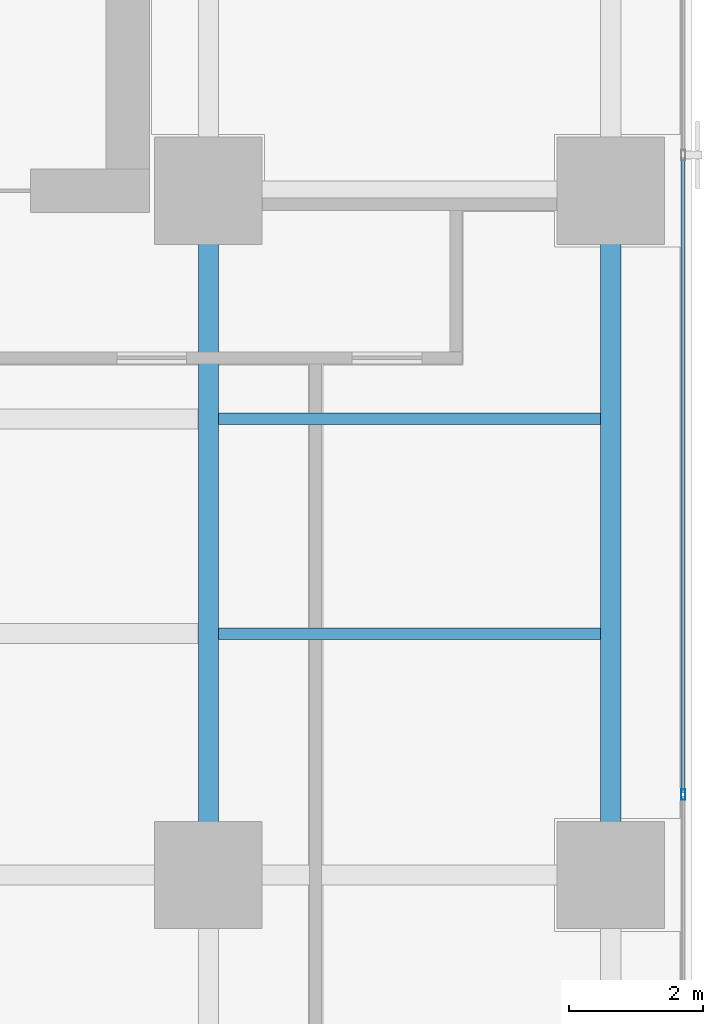
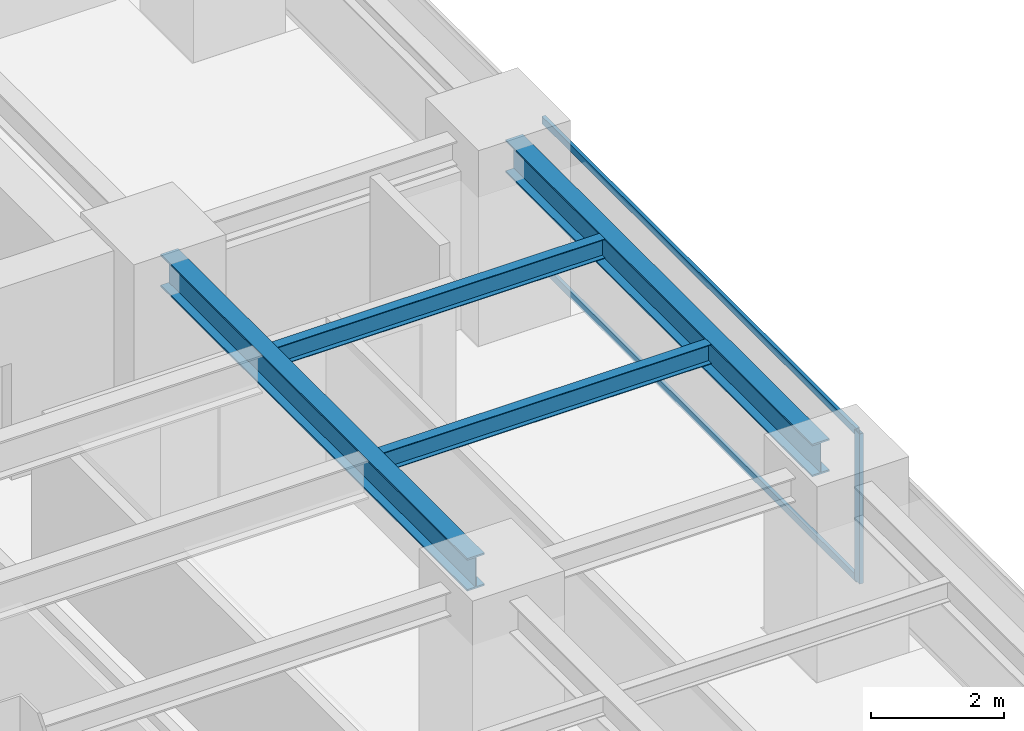
# One storey, part 13 of 28: 4 beams, 3 members, 1 element without a shape of its own.
"""IFC4 building model written with IfcOpenShell, lengths in metres."""

import ifcopenshell
import ifcopenshell.guid

model = None  # the IFC model being written
_history = None  # IfcOwnerHistory: only IFC2X3 demands one
_inside = {}  # id of a spatial element -> (the spatial element, [elements in it])
_under = {}  # id of a project, library or spatial element -> (it, [spatial elements below it])
_declared = {}  # id of a project -> (the project, [libraries it declares])
_typed = {}  # id of a type object -> (the type object, [elements of that type])
_made_of = {}  # id of a material, layer set ... -> (it, [elements and type objects made of it])


def new_model(schema):
    """Start an empty IFC model of exactly this schema.

    Asked for "IFC4X3", IfcOpenShell would pick the latest addendum, in which some entities
    have other attributes; the version numbers below select the first issue.
    IFC2X3 requires an IfcOwnerHistory on every rooted entity: one is made here for all.
    """
    global model, _history
    if schema == "IFC4X3":
        model = ifcopenshell.file(schema_version=(4, 3, 0, 0))
    else:
        model = ifcopenshell.file(schema=schema)
    _inside.clear()
    _under.clear()
    _declared.clear()
    _typed.clear()
    _made_of.clear()
    _history = None
    if model.schema == "IFC2X3":
        org = make("IfcOrganization", Name="unknown")
        user = make(
            "IfcPersonAndOrganization",
            ThePerson=make("IfcPerson", FamilyName="unknown"),
            TheOrganization=org,
        )
        app = make(
            "IfcApplication",
            ApplicationDeveloper=org,
            Version="unknown",
            ApplicationFullName="unknown",
            ApplicationIdentifier="unknown",
        )
        _history = make(
            "IfcOwnerHistory",
            OwningUser=user,
            OwningApplication=app,
            ChangeAction="ADDED",
            CreationDate=0,
        )
    return model


def make(cls, **values):
    """One entity of the class cls with the attributes given. An attribute that is None is left unset."""
    return model.create_entity(
        cls, **{name: value for name, value in values.items() if value is not None}
    )


def rooted(cls, **values):
    """An entity with a GlobalId (a new one), such as an element, a storey or a relation."""
    return make(cls, GlobalId=ifcopenshell.guid.new(), OwnerHistory=_history, **values)


def si_unit(unit_type, name, prefix=None):
    """IfcSIUnit, for example si_unit("LENGTHUNIT", "METRE", prefix="MILLI")."""
    return make("IfcSIUnit", UnitType=unit_type, Prefix=prefix, Name=name)


def assignment(units):
    """IfcUnitAssignment: the units of a project."""
    return None if units is None else make("IfcUnitAssignment", Units=units)


def point(xyz):
    """IfcCartesianPoint."""
    return None if xyz is None else make("IfcCartesianPoint", Coordinates=xyz)


def direction(xyz):
    """IfcDirection."""
    return None if xyz is None else make("IfcDirection", DirectionRatios=xyz)


def frame(location, z_axis=None, x_axis=None):
    """IfcAxis2Placement3D, a coordinate frame: its origin and axes. An axis left out is left unset."""
    return make(
        "IfcAxis2Placement3D",
        Location=point(location),
        Axis=direction(z_axis),
        RefDirection=direction(x_axis),
    )


def frame_2d(location, x_axis=None):
    """IfcAxis2Placement2D, a coordinate frame in the plane: its origin and x axis."""
    return make(
        "IfcAxis2Placement2D", Location=point(location), RefDirection=direction(x_axis)
    )


def origin():
    """The frame at (0, 0, 0) with its axes left unset."""
    return frame((0.0, 0.0, 0.0))


def origin_2d():
    """The frame at (0, 0) in the plane with its x axis left unset."""
    return frame_2d((0.0, 0.0))


def place(relative_to, where):
    """IfcLocalPlacement: puts the frame where relative to a parent placement (None: the world)."""
    return make(
        "IfcLocalPlacement", PlacementRelTo=relative_to, RelativePlacement=where
    )


def context(
    kind, dimensions, precision=None, world=None, true_north=None, identifier=None
):
    """IfcGeometricRepresentationContext, for example the 3D "Model" context."""
    return make(
        "IfcGeometricRepresentationContext",
        ContextIdentifier=identifier,
        ContextType=kind,
        CoordinateSpaceDimension=dimensions,
        Precision=precision,
        WorldCoordinateSystem=world,
        TrueNorth=true_north,
    )


def subcontext(parent, identifier, kind, view, scale=None):
    """IfcGeometricRepresentationSubContext, for example "Body" below "Model"."""
    return make(
        "IfcGeometricRepresentationSubContext",
        ContextIdentifier=identifier,
        ContextType=kind,
        ParentContext=parent,
        TargetScale=scale,
        TargetView=view,
    )


def project(units=None, contexts=None):
    """IfcProject with its units and contexts."""
    return rooted(
        "IfcProject",
        Name="project",
        RepresentationContexts=contexts,
        UnitsInContext=assignment(units),
    )


def spatial(cls, under=None, at=None, **own):
    """A site, building, storey or space (cls), placed at a placement, below another one or the project."""
    s = rooted(cls, ObjectPlacement=at, **own)
    if under is not None:
        _under.setdefault(under.id(), (under, []))[1].append(s)
    return s


def profile(cls, at=None, kind="AREA", **sizes):
    """A parametric profile (cls). Its sizes go by their IFC names, for example OverallWidth=200.0."""
    return make(cls, ProfileType=kind, Position=at, **sizes)


def hollow_rectangle(**sizes):
    """IfcRectangleHollowProfileDef."""
    return profile("IfcRectangleHollowProfileDef", **sizes)


def i_section(**sizes):
    """IfcIShapeProfileDef."""
    return profile("IfcIShapeProfileDef", **sizes)


def extrude(swept, where, along, depth):
    """IfcExtrudedAreaSolid: the profile swept, set in the frame where, extruded along a direction by depth."""
    return make(
        "IfcExtrudedAreaSolid",
        SweptArea=swept,
        Position=where,
        ExtrudedDirection=direction(along),
        Depth=depth,
    )


def shape(context_of_items, identifier, shape_type, items):
    """IfcShapeRepresentation: the items that make up one representation, for example the "Body"."""
    return make(
        "IfcShapeRepresentation",
        ContextOfItems=context_of_items,
        RepresentationIdentifier=identifier,
        RepresentationType=shape_type,
        Items=items,
    )


def source(mapping_origin, context_of_items, identifier, shape_type, items):
    """IfcRepresentationMap: a shape defined once, which mapped items show again and again."""
    return make(
        "IfcRepresentationMap",
        MappingOrigin=mapping_origin,
        MappedRepresentation=shape(context_of_items, identifier, shape_type, items),
    )


def transform(
    local_origin,
    x_axis=None,
    y_axis=None,
    z_axis=None,
    scale=None,
    scale2=None,
    scale3=None,
    uniform=True,
):
    """IfcCartesianTransformationOperator3D, or its non-uniform kind. x_axis, y_axis, z_axis: its Axis1, 2, 3."""
    if uniform:
        return make(
            "IfcCartesianTransformationOperator3D",
            Axis1=direction(x_axis),
            Axis2=direction(y_axis),
            LocalOrigin=point(local_origin),
            Scale=scale,
            Axis3=direction(z_axis),
        )
    return make(
        "IfcCartesianTransformationOperator3DnonUniform",
        Axis1=direction(x_axis),
        Axis2=direction(y_axis),
        LocalOrigin=point(local_origin),
        Scale=scale,
        Axis3=direction(z_axis),
        Scale2=scale2,
        Scale3=scale3,
    )


def mapped(mapping_source, mapping_target):
    """IfcMappedItem: shows the shape of a source again, moved by a transform."""
    return make(
        "IfcMappedItem", MappingSource=mapping_source, MappingTarget=mapping_target
    )


def material(Name=None, Category=None):
    """IfcMaterial."""
    return make("IfcMaterial", Name=Name, Category=Category)


def layer(
    of_material, thickness, ventilated=None, Name=None, Category=None, Priority=None
):
    """IfcMaterialLayer: one layer of a wall or slab, of a material (None: an air gap)."""
    return make(
        "IfcMaterialLayer",
        Material=of_material,
        LayerThickness=thickness,
        IsVentilated=ventilated,
        Name=Name,
        Category=Category,
        Priority=Priority,
    )


def layer_set(layers, Name=None):
    """IfcMaterialLayerSet."""
    return make("IfcMaterialLayerSet", MaterialLayers=layers, LayerSetName=Name)


def material_profile(
    of_material, cross_section, Name=None, Category=None, Priority=None
):
    """IfcMaterialProfile: a cross section and its material."""
    return make(
        "IfcMaterialProfile",
        Name=Name,
        Material=of_material,
        Profile=cross_section,
        Priority=Priority,
        Category=Category,
    )


def profile_set(profiles, Name=None, composite=None):
    """IfcMaterialProfileSet."""
    return make(
        "IfcMaterialProfileSet",
        Name=Name,
        MaterialProfiles=profiles,
        CompositeProfile=composite,
    )


def made_of(thing, what):
    """Note that an element or type object is made of a material, layer set ...; save() writes the relation."""
    if what is not None:
        _made_of.setdefault(what.id(), (what, []))[1].append(thing)
    return thing


def type_object(cls, material=None, **own):
    """A type object (cls), such as IfcWallType, which elements share."""
    return made_of(rooted(cls, **own), material)


def element(
    cls,
    number,
    at=None,
    inside=None,
    cuts=None,
    type_object=None,
    material=None,
    context=None,
    identifier="Body",
    shape_type=None,
    held_by="IfcProductDefinitionShape",
    body=None,
    shapes=None,
    **own,
):
    """One element of the class cls, such as IfcWall. Its Tag is "e" and its number.

    at: its placement. inside: the storey or other place that contains it. cuts: it is an
    opening in that element (IfcRelVoidsElement). A single representation is given by context,
    identifier, shape_type and body (its items); several are given by shapes. held_by: the class
    of the entity that holds the representations. save() writes the other relations.
    """
    e = rooted(cls, Tag="e%d" % number, ObjectPlacement=at, **own)
    if body is not None:
        shapes = [shape(context, identifier, shape_type, body)]
    if shapes is not None:
        e.Representation = make(held_by, Representations=shapes)
    if inside is not None:
        _inside.setdefault(inside.id(), (inside, []))[1].append(e)
    if cuts is not None:
        rooted(
            "IfcRelVoidsElement", RelatingBuildingElement=cuts, RelatedOpeningElement=e
        )
    if type_object is not None:
        _typed.setdefault(type_object.id(), (type_object, []))[1].append(e)
    return made_of(e, material)


def aggregate(whole, parts):
    """IfcRelAggregates: a whole, such as a stair, and the parts it consists of."""
    return rooted("IfcRelAggregates", RelatingObject=whole, RelatedObjects=parts)


def save(model, path):
    """Write the relations noted so far, then the file.

    IfcRelAggregates (storeys below a building ...), IfcRelContainedInSpatialStructure (elements
    in a storey), IfcRelDefinesByType, IfcRelAssociatesMaterial and IfcRelDeclares: one each for
    every whole, place, type object, material and project.
    """
    for whole, parts in _under.values():
        aggregate(whole, parts)
    for where, things in _inside.values():
        rooted(
            "IfcRelContainedInSpatialStructure",
            RelatedElements=things,
            RelatingStructure=where,
        )
    for kind, things in _typed.values():
        rooted("IfcRelDefinesByType", RelatedObjects=things, RelatingType=kind)
    for what, things in _made_of.values():
        rooted("IfcRelAssociatesMaterial", RelatedObjects=things, RelatingMaterial=what)
    for by, libraries in _declared.values():
        rooted("IfcRelDeclares", RelatingContext=by, RelatedDefinitions=libraries)
    model.write(path)


model = new_model("IFC4")

# Units and contexts
model_context = context("Model", 3, precision=1e-05, world=origin(), true_north=direction((0.0, 1.0)))
body_context = subcontext(model_context, "Body", "Model", "MODEL_VIEW")
ifc_project = project(units=[si_unit("LENGTHUNIT", "METRE"), si_unit("AREAUNIT", "SQUARE_METRE"), si_unit("VOLUMEUNIT", "CUBIC_METRE"), si_unit("PLANEANGLEUNIT", "RADIAN"), si_unit("MASSUNIT", "GRAM", prefix="KILO")], contexts=[model_context])

# Site, building, storey
site_placement = place(None, origin())
site = spatial("IfcSite", under=ifc_project, at=site_placement, CompositionType="ELEMENT")
building_placement = place(site_placement, origin())
building = spatial("IfcBuilding", under=site, at=building_placement, Name="Sumidabori Civic Tower", CompositionType="ELEMENT")
storey_placement = place(building_placement, frame((0.0, 0.0, 167.60009765625)))
storey = spatial("IfcBuildingStorey", under=building, at=storey_placement, Name="L43", CompositionType="ELEMENT", Elevation=167.60009765625)

# Beams
ifc_material_1 = material(Name="Steel SN490", Category="steel")
ifc_material_profile_1 = material_profile(ifc_material_1, i_section(OverallWidth=0.300048828125, OverallDepth=0.60009765625, WebThickness=0.015380859375, FlangeThickness=0.030029296875, at=origin_2d()), Name="HE 600 B")
ifc_profile_set_1 = profile_set([ifc_material_profile_1], Name="Steel SN490")
beam_type_1 = type_object("IfcBeamType", Name="BM-GIRD-600", PredefinedType="BEAM", material=ifc_profile_set_1)
shared_shape_1 = source(origin(), body_context, "Body", "SweptSolid", [
    extrude(i_section(OverallWidth=0.300048828125, OverallDepth=0.60009765625, WebThickness=0.015380859375, FlangeThickness=0.030029296875, at=origin_2d()), origin(), (0.0, 0.0, 1.0), 9.239990234375),
])
for number, where, z_axis, x_axis, name in (
    (1, (16.800048828125, 0.47998046875, 3.079833984375), (0.0, 1.0, 0.0), (-1.0, 0.0, 0.0), "Primary Girder L43 GY-34"),
    (2, (22.800048828125, 0.47998046875, 3.079833984375), (0.0, 1.0, 0.0), (-1.0, 0.0, 0.0), "Primary Girder L43 GY-37"),
):
    element("IfcBeam", number, at=place(storey_placement, frame(where, z_axis=z_axis, x_axis=x_axis)), inside=storey, type_object=beam_type_1, Name=name, PredefinedType="BEAM", context=body_context, shape_type="MappedRepresentation", body=[
        mapped(shared_shape_1, transform((0.0, 0.0, 0.0), x_axis=(1.0, 0.0, 0.0), y_axis=(0.0, 1.0, 0.0), z_axis=(0.0, 0.0, 1.0), scale=1.0)),
    ])
ifc_material_profile_2 = material_profile(ifc_material_1, i_section(OverallWidth=0.169921875, OverallDepth=0.360107421875, WebThickness=0.008056640625, FlangeThickness=0.0126953125, at=origin_2d()), Name="IPE 360")
ifc_profile_set_2 = profile_set([ifc_material_profile_2], Name="Steel SN490")
beam_type_2 = type_object("IfcBeamType", Name="BM-JST-360", PredefinedType="JOIST", material=ifc_profile_set_2)
shared_shape_2 = source(origin(), body_context, "Body", "SweptSolid", [
    extrude(i_section(OverallWidth=0.169921875, OverallDepth=0.360107421875, WebThickness=0.008056640625, FlangeThickness=0.0126953125, at=origin_2d()), origin(), (0.0, 0.0, 1.0), 5.699951171875),
])
for number, where, z_axis, x_axis, name in (
    (3, (16.949951171875, 3.60009765625, 3.199951171875), (1.0, 0.0, 0.0), (0.0, 1.0, 0.0), "Outer Bay Floor Joist L43 JSTO-44"),
    (4, (16.949951171875, 6.800048828125, 3.199951171875), (1.0, 0.0, 0.0), (0.0, 1.0, 0.0), "Outer Bay Floor Joist L43 JSTO-46"),
):
    element("IfcBeam", number, at=place(storey_placement, frame(where, z_axis=z_axis, x_axis=x_axis)), inside=storey, type_object=beam_type_2, Name=name, PredefinedType="JOIST", context=body_context, shape_type="MappedRepresentation", body=[
        mapped(shared_shape_2, transform((0.0, 0.0, 0.0), x_axis=(1.0, 0.0, 0.0), y_axis=(0.0, 1.0, 0.0), z_axis=(0.0, 0.0, 1.0), scale=1.0)),
    ])

# Curtain wall, members
ifc_material_2 = material(Name="Anodised Bronze Aluminium AW-6063-T6", Category="aluminium")
ifc_layer = layer(ifc_material_2, 0.179931640625, Name="Anodised Bronze Aluminium AW-6063-T6")
ifc_layer_set = layer_set([ifc_layer], Name="Anodised Bronze Aluminium AW-6063-T6")
curtain_wall_type = type_object("IfcCurtainWallType", Name="CW-SYS-3", PredefinedType="NOTDEFINED", material=ifc_layer_set)
curtain_wall_placement = place(storey_placement, origin())
curtain_wall = element("IfcCurtainWall", 5, at=curtain_wall_placement, inside=storey, type_object=curtain_wall_type, Name="Curtain Wall CW:L43:R04", PredefinedType="NOTDEFINED")
ifc_material_profile_3 = material_profile(ifc_material_2, hollow_rectangle(XDim=0.06494140625, YDim=0.159912109375, WallThickness=0.0048828125, at=origin_2d()), Name="ALU MULLION 160x65")
ifc_profile_set_3 = profile_set([ifc_material_profile_3], Name="Anodised Bronze Aluminium AW-6063-T6")
member_type_1 = type_object("IfcMemberType", Name="CW-MUL-160", PredefinedType="MULLION", material=ifc_profile_set_3)
shared_shape_3 = source(origin(), body_context, "Body", "SweptSolid", [
    extrude(hollow_rectangle(XDim=0.06494140625, YDim=0.159912109375, WallThickness=0.0048828125, at=origin_2d()), origin(), (0.0, 0.0, 1.0), 2.760009765625),
])
member_1_placement = place(storey_placement, frame((23.8798828125, 1.199951171875, 0.0), z_axis=(0.0, 0.0, 1.0), x_axis=(-1.0, 0.0, 0.0)))
member_1 = element("IfcMember", 6, at=member_1_placement, type_object=member_type_1, Name="CW-3 mullion 3", PredefinedType="MULLION", context=body_context, shape_type="MappedRepresentation", body=[
    mapped(shared_shape_3, transform((0.0, 0.0, 0.0), x_axis=(1.0, 0.0, 0.0), y_axis=(0.0, 1.0, 0.0), z_axis=(0.0, 0.0, 1.0), scale=1.0)),
])
ifc_material_profile_4 = material_profile(ifc_material_2, hollow_rectangle(XDim=0.06005859375, YDim=0.1298828125, WallThickness=0.0048828125, at=origin_2d()), Name="ALU TRANSOM 130x60")
ifc_profile_set_4 = profile_set([ifc_material_profile_4], Name="Anodised Bronze Aluminium AW-6063-T6")
member_type_2 = type_object("IfcMemberType", Name="CW-TRN-130", PredefinedType="USERDEFINED", material=ifc_profile_set_4)
shared_shape_4 = source(origin(), body_context, "Body", "SweptSolid", [
    extrude(hollow_rectangle(XDim=0.06005859375, YDim=0.1298828125, WallThickness=0.0048828125, at=origin_2d()), origin(), (0.0, 0.0, 1.0), 9.469970703125),
])
member_2_placement = place(storey_placement, frame((23.8798828125, 1.232421875, 0.02978515625), z_axis=(0.0, 1.0, 0.0), x_axis=(-1.0, 0.0, 0.0)))
member_2 = element("IfcMember", 7, at=member_2_placement, type_object=member_type_2, Name="CW-3 transom 3.1", ObjectType="TRANSOM", PredefinedType="USERDEFINED", context=body_context, shape_type="MappedRepresentation", body=[
    mapped(shared_shape_4, transform((0.0, 0.0, 0.0), x_axis=(1.0, 0.0, 0.0), y_axis=(0.0, 1.0, 0.0), z_axis=(0.0, 0.0, 1.0), scale=1.0)),
])
member_3_placement = place(storey_placement, frame((23.8798828125, 1.232421875, 2.72998046875), z_axis=(0.0, 1.0, 0.0), x_axis=(-1.0, 0.0, 0.0)))
member_3 = element("IfcMember", 8, at=member_3_placement, type_object=member_type_2, Name="CW-3 transom 3.2", ObjectType="TRANSOM", PredefinedType="USERDEFINED", context=body_context, shape_type="MappedRepresentation", body=[
    mapped(shared_shape_4, transform((0.0, 0.0, 0.0), x_axis=(1.0, 0.0, 0.0), y_axis=(0.0, 1.0, 0.0), z_axis=(0.0, 0.0, 1.0), scale=1.0)),
])
aggregate(curtain_wall, [member_1, member_2, member_3])

save(model, "model.ifc")
